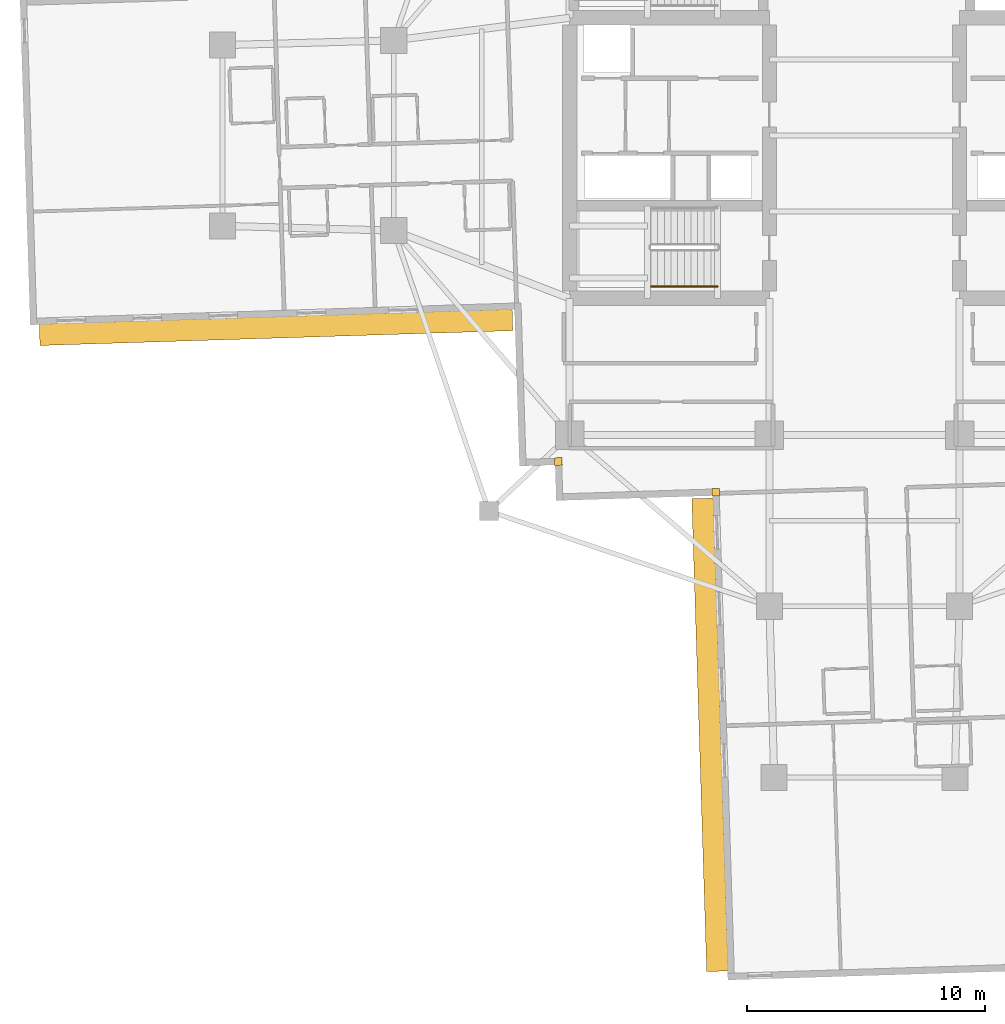
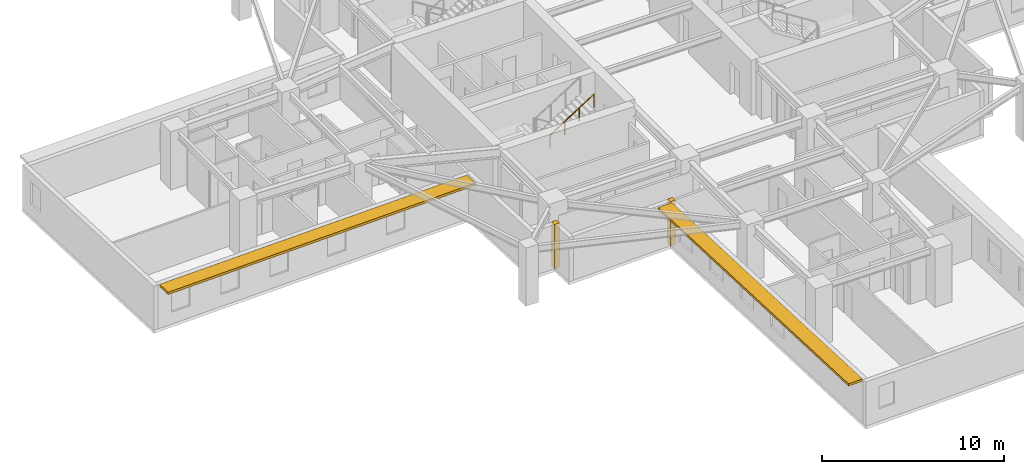
# One storey, part 10 of 14: 2 coverings, 2 shading devices, 1 railing.
"""IFC4 building model written with IfcOpenShell, lengths in metres."""

from ifc_helpers import new_model, si_unit, direction, frame, origin, origin_2d, place, context, subcontext, project, spatial, rectangle, circle, extrude, material, layer, layer_set, type_object, element, save


model = new_model("IFC4")

# Units and contexts
model_context = context("Model", 3, precision=1e-05, world=origin(), true_north=direction((0.0, 1.0)))
body_context = subcontext(model_context, "Body", "Model", "MODEL_VIEW")
ifc_project = project(units=[si_unit("LENGTHUNIT", "METRE"), si_unit("AREAUNIT", "SQUARE_METRE"), si_unit("VOLUMEUNIT", "CUBIC_METRE"), si_unit("PLANEANGLEUNIT", "RADIAN"), si_unit("MASSUNIT", "GRAM", prefix="KILO")], contexts=[model_context])

# Site, building, storey
site_placement = place(None, origin())
site = spatial("IfcSite", under=ifc_project, at=site_placement, CompositionType="ELEMENT")
building_placement = place(site_placement, origin())
building = spatial("IfcBuilding", under=site, at=building_placement, Name="Qingluan Cross Belvedere", CompositionType="ELEMENT")
storey_placement = place(building_placement, frame((0.0, 0.0, 135.89990234375)))
storey = spatial("IfcBuildingStorey", under=building, at=storey_placement, Name="L34", CompositionType="ELEMENT", Elevation=135.89990234375)

# Coverings
ifc_material_1 = material(Name="Precast concrete C45", Category="concrete")
ifc_layer_1 = layer(ifc_material_1, 0.1201171875, Name="ConcreteSpandrelCladding_120")
ifc_layer_set_1 = layer_set([ifc_layer_1], Name="Precast concrete C45")
covering_type = type_object("IfcCoveringType", Name="ConcreteSpandrelCladding_120", PredefinedType="CLADDING", material=ifc_layer_set_1)
for number, where, z_axis, x_axis, name in (
    (1, (-12.875732421875, -13.711181640625, 0.0), (0.0, 0.0, 1.0), (0.999506560366, 0.031410759078, 0.0), "Corner closure L34-SW1"),
    (2, (-6.251708984375, -15.00390625, 0.0), (0.0, 0.0, 1.0), (0.999506560366, 0.031410759078, 0.0), "Corner closure L34-SW2"),
):
    element("IfcCovering", number, at=place(storey_placement, frame(where, z_axis=z_axis, x_axis=x_axis)), inside=storey, type_object=covering_type, Name=name, PredefinedType="CLADDING", context=body_context, shape_type="SweptSolid", body=[
        extrude(rectangle(XDim=0.320068359375, YDim=0.320068359375, at=origin_2d()), origin(), (0.0, 0.0, 1.0), 2.969970703125),
    ])

# Shading devices
ifc_material_2 = material(Name="Precast concrete C45", Category="concrete")
ifc_layer_2 = layer(ifc_material_2, 0.159912109375, Name="ConcreteSunshadeBand_900")
ifc_layer_set_2 = layer_set([ifc_layer_2], Name="Precast concrete C45")
shading_device_type = type_object("IfcShadingDeviceType", Name="ConcreteSunshadeBand_900", PredefinedType="USERDEFINED", material=ifc_layer_set_2)
for number, where, z_axis, x_axis, name in (
    (3, (-24.74853515625, -8.0712890625, 2.7900390625), (0.0, 0.0, 1.0), (0.999506649124, 0.031407934627, 0.0), "Concrete SUNSHADE L34-WB"),
    (4, (-6.50146484375, -25.206787109375, 2.7900390625), (0.0, 0.0, 1.0), (0.031407934627, -0.999506649124, 0.0), "Concrete SUNSHADE L34-SA"),
):
    element("IfcShadingDevice", number, at=place(storey_placement, frame(where, z_axis=z_axis, x_axis=x_axis)), inside=storey, type_object=shading_device_type, Name=name, ObjectType="SUNSHADE", PredefinedType="USERDEFINED", context=body_context, shape_type="SweptSolid", body=[
        extrude(rectangle(XDim=19.89990234375, YDim=0.89990234375, at=origin_2d()), origin(), (0.0, 0.0, 1.0), 0.159912109375),
    ])

# Railing
ifc_material_3 = material(Name="Brushed stainless steel tubular handrail", Category="steel")
railing_type = type_object("IfcRailingType", Name="StairPitchHandrail_900", PredefinedType="HANDRAIL", material=ifc_material_3)
railing_placement = place(storey_placement, frame((-8.97998046875, -6.35009765625, 2.12744140625)))
element("IfcRailing", 5, at=railing_placement, inside=storey, type_object=railing_type, Name="L34 ST1 stair handrail 2", PredefinedType="HANDRAIL", context=body_context, shape_type="SweptSolid", body=[
    extrude(circle(Radius=0.02392578125, at=origin_2d()), frame((0.0, 0.0, 0.8759765625), z_axis=(0.844908973607, 0.0, 0.534910110503), x_axis=(0.0, 1.0, 0.0)), (0.0, 0.0, 1.0), 3.31396484375),
    extrude(circle(Radius=0.02099609375, at=origin_2d()), origin(), (0.0, 0.0, 1.0), 0.851806640625),
    extrude(circle(Radius=0.02099609375, at=origin_2d()), frame((0.933349609375, 0.0, 0.5908203125)), (0.0, 0.0, 1.0), 0.851806640625),
    extrude(circle(Radius=0.02099609375, at=origin_2d()), frame((1.86669921875, 0.0, 1.181884765625)), (0.0, 0.0, 1.0), 0.851806640625),
    extrude(circle(Radius=0.02099609375, at=origin_2d()), frame((2.800048828125, 0.0, 1.772705078125)), (0.0, 0.0, 1.0), 0.851806640625),
])

save(model, "model.ifc")
